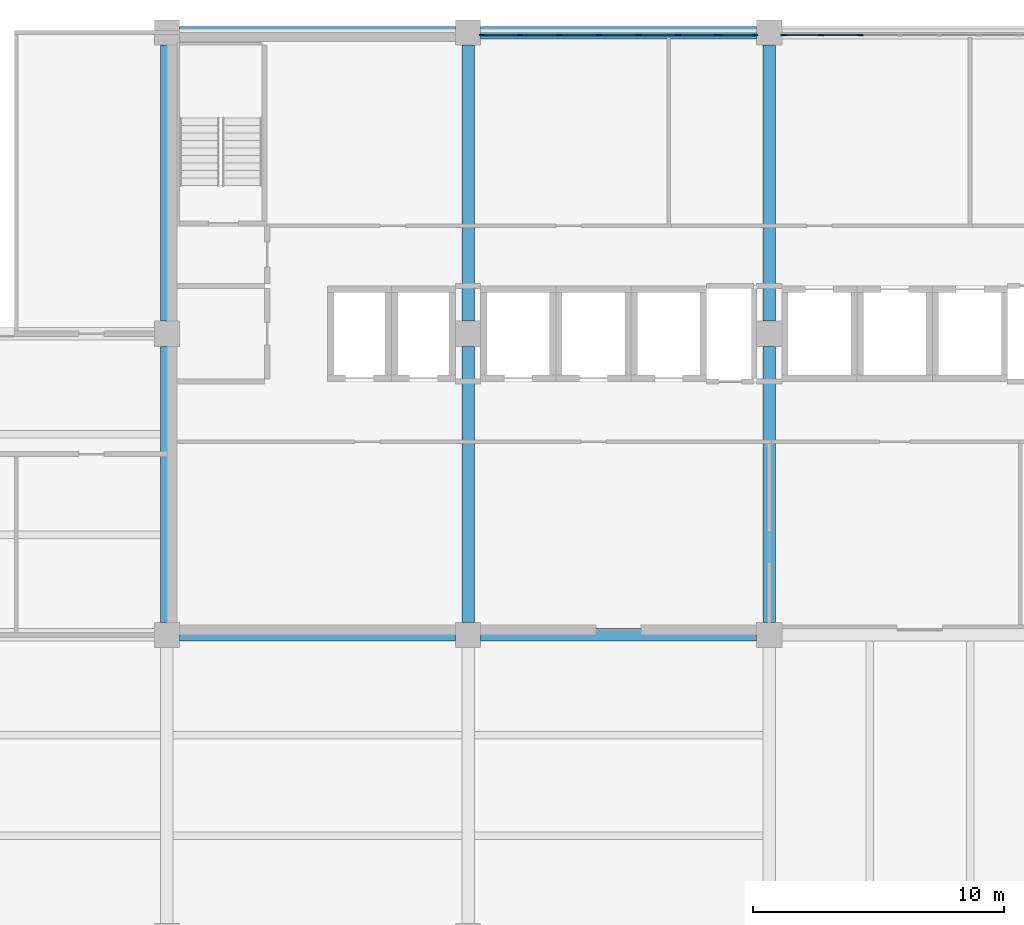
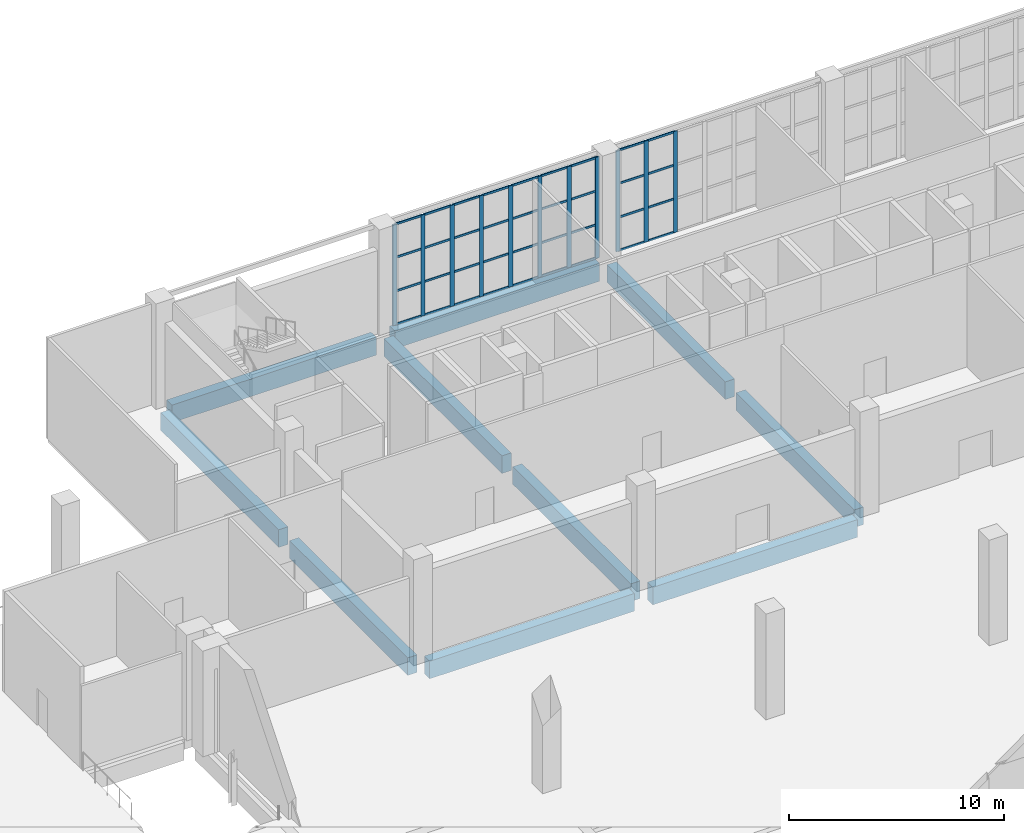
# One storey, part 37 of 72: 47 members, 10 beams, 2 elements without a shape of their own.
"""IFC4 building model written with IfcOpenShell, lengths in metres."""

from ifc_helpers import new_model, si_unit, direction, frame, origin, origin_2d, place, context, subcontext, project, spatial, rectangle, extrude, material, layer, layer_set, material_profile, profile_set, type_object, element, aggregate, save


model = new_model("IFC4")

# Units and contexts
model_context = context("Model", 3, precision=1e-05, world=origin(), true_north=direction((0.0, 1.0)))
body_context = subcontext(model_context, "Body", "Model", "MODEL_VIEW")
ifc_project = project(units=[si_unit("LENGTHUNIT", "METRE"), si_unit("AREAUNIT", "SQUARE_METRE"), si_unit("VOLUMEUNIT", "CUBIC_METRE"), si_unit("PLANEANGLEUNIT", "RADIAN"), si_unit("MASSUNIT", "GRAM", prefix="KILO")], contexts=[model_context])

# Site, building, storey
site_placement = place(None, origin())
site = spatial("IfcSite", under=ifc_project, at=site_placement, CompositionType="ELEMENT")
building_placement = place(site_placement, origin())
building = spatial("IfcBuilding", under=site, at=building_placement, Name="Lilac Gate Convention Centre", CompositionType="ELEMENT")
storey_placement = place(building_placement, frame((0.0, 0.0, 6.0)))
storey = spatial("IfcBuildingStorey", under=building, at=storey_placement, Name="L01", CompositionType="ELEMENT", Elevation=6.0)

# Curtain wall, members
ifc_material_1 = material(Name="Aluminium framed double glazing", Category="aluminium")
ifc_layer = layer(ifc_material_1, 0.199951171875)
ifc_layer_set = layer_set([ifc_layer], Name="Aluminium framed double glazing")
curtain_wall_type = type_object("IfcCurtainWallType", Name="Unitised curtain wall 1500", PredefinedType="NOTDEFINED", material=ifc_layer_set)
curtain_wall_1_placement = place(storey_placement, origin())
curtain_wall_1 = element("IfcCurtainWall", 1, at=curtain_wall_1_placement, inside=storey, type_object=curtain_wall_type, Name="Curtain wall N L01 2", PredefinedType="NOTDEFINED")
ifc_material_2 = material(Name="Aluminium alloy 6063", Category="aluminium")
ifc_material_profile_1 = material_profile(ifc_material_2, rectangle(XDim=0.06005859375, YDim=0.219970703125, at=origin_2d()), Name="Curtain wall mullion 60 x 220")
ifc_profile_set_1 = profile_set([ifc_material_profile_1], Name="Aluminium alloy 6063")
member_type_1 = type_object("IfcMemberType", Name="Curtain wall mullion 60 x 220", PredefinedType="MULLION", material=ifc_profile_set_1)
member_1_placement = place(storey_placement, frame((69.642822265625, 245.89990234375, 0.0), z_axis=(0.0, 0.0, 1.0), x_axis=(0.0, -1.0, 0.0)))
member_1 = element("IfcMember", 2, at=member_1_placement, type_object=member_type_1, Name="CW mullion 6", PredefinedType="MULLION", context=body_context, shape_type="SweptSolid", body=[
    extrude(rectangle(XDim=0.06005859375, YDim=0.219970703125, at=origin_2d()), origin(), (0.0, 0.0, 1.0), 5.75),
])
member_2_placement = place(storey_placement, frame((68.071533203125, 245.89990234375, 0.0), z_axis=(0.0, 0.0, 1.0), x_axis=(0.0, -1.0, 0.0)))
member_2 = element("IfcMember", 3, at=member_2_placement, type_object=member_type_1, Name="CW mullion 7", PredefinedType="MULLION", context=body_context, shape_type="SweptSolid", body=[
    extrude(rectangle(XDim=0.06005859375, YDim=0.219970703125, at=origin_2d()), origin(), (0.0, 0.0, 1.0), 5.75),
])
member_3_placement = place(storey_placement, frame((66.56005859375, 245.89990234375, 0.0), z_axis=(0.0, 0.0, 1.0), x_axis=(0.0, -1.0, 0.0)))
member_3 = element("IfcMember", 4, at=member_3_placement, type_object=member_type_1, Name="CW mullion 8", PredefinedType="MULLION", context=body_context, shape_type="SweptSolid", body=[
    extrude(rectangle(XDim=0.06005859375, YDim=0.219970703125, at=origin_2d()), origin(), (0.0, 0.0, 1.0), 5.75),
])

curtain_wall_2_placement = place(storey_placement, origin())
curtain_wall_2 = element("IfcCurtainWall", 5, at=curtain_wall_2_placement, inside=storey, type_object=curtain_wall_type, Name="Curtain wall N L01 3", PredefinedType="NOTDEFINED")
member_4_placement = place(storey_placement, frame((65.43994140625, 245.89990234375, 0.0), z_axis=(0.0, 0.0, 1.0), x_axis=(0.0, -1.0, 0.0)))
member_4 = element("IfcMember", 6, at=member_4_placement, type_object=member_type_1, Name="CW mullion 1", PredefinedType="MULLION", context=body_context, shape_type="SweptSolid", body=[
    extrude(rectangle(XDim=0.06005859375, YDim=0.219970703125, at=origin_2d()), origin(), (0.0, 0.0, 1.0), 5.75),
])
member_5_placement = place(storey_placement, frame((63.928466796875, 245.89990234375, 0.0), z_axis=(0.0, 0.0, 1.0), x_axis=(0.0, -1.0, 0.0)))
member_5 = element("IfcMember", 7, at=member_5_placement, type_object=member_type_1, Name="CW mullion 2", PredefinedType="MULLION", context=body_context, shape_type="SweptSolid", body=[
    extrude(rectangle(XDim=0.06005859375, YDim=0.219970703125, at=origin_2d()), origin(), (0.0, 0.0, 1.0), 5.75),
])
member_6_placement = place(storey_placement, frame((62.357177734375, 245.89990234375, 0.0), z_axis=(0.0, 0.0, 1.0), x_axis=(0.0, -1.0, 0.0)))
member_6 = element("IfcMember", 8, at=member_6_placement, type_object=member_type_1, Name="CW mullion 3", PredefinedType="MULLION", context=body_context, shape_type="SweptSolid", body=[
    extrude(rectangle(XDim=0.06005859375, YDim=0.219970703125, at=origin_2d()), origin(), (0.0, 0.0, 1.0), 5.75),
])
member_7_placement = place(storey_placement, frame((60.78564453125, 245.89990234375, 0.0), z_axis=(0.0, 0.0, 1.0), x_axis=(0.0, -1.0, 0.0)))
member_7 = element("IfcMember", 9, at=member_7_placement, type_object=member_type_1, Name="CW mullion 4", PredefinedType="MULLION", context=body_context, shape_type="SweptSolid", body=[
    extrude(rectangle(XDim=0.06005859375, YDim=0.219970703125, at=origin_2d()), origin(), (0.0, 0.0, 1.0), 5.75),
])
member_8_placement = place(storey_placement, frame((59.21435546875, 245.89990234375, 0.0), z_axis=(0.0, 0.0, 1.0), x_axis=(0.0, -1.0, 0.0)))
member_8 = element("IfcMember", 10, at=member_8_placement, type_object=member_type_1, Name="CW mullion 5", PredefinedType="MULLION", context=body_context, shape_type="SweptSolid", body=[
    extrude(rectangle(XDim=0.06005859375, YDim=0.219970703125, at=origin_2d()), origin(), (0.0, 0.0, 1.0), 5.75),
])
member_9_placement = place(storey_placement, frame((57.642822265625, 245.89990234375, 0.0), z_axis=(0.0, 0.0, 1.0), x_axis=(0.0, -1.0, 0.0)))
member_9 = element("IfcMember", 11, at=member_9_placement, type_object=member_type_1, Name="CW mullion 6", PredefinedType="MULLION", context=body_context, shape_type="SweptSolid", body=[
    extrude(rectangle(XDim=0.06005859375, YDim=0.219970703125, at=origin_2d()), origin(), (0.0, 0.0, 1.0), 5.75),
])
member_10_placement = place(storey_placement, frame((56.071533203125, 245.89990234375, 0.0), z_axis=(0.0, 0.0, 1.0), x_axis=(0.0, -1.0, 0.0)))
member_10 = element("IfcMember", 12, at=member_10_placement, type_object=member_type_1, Name="CW mullion 7", PredefinedType="MULLION", context=body_context, shape_type="SweptSolid", body=[
    extrude(rectangle(XDim=0.06005859375, YDim=0.219970703125, at=origin_2d()), origin(), (0.0, 0.0, 1.0), 5.75),
])
member_11_placement = place(storey_placement, frame((54.56005859375, 245.89990234375, 0.0), z_axis=(0.0, 0.0, 1.0), x_axis=(0.0, -1.0, 0.0)))
member_11 = element("IfcMember", 13, at=member_11_placement, type_object=member_type_1, Name="CW mullion 8", PredefinedType="MULLION", context=body_context, shape_type="SweptSolid", body=[
    extrude(rectangle(XDim=0.06005859375, YDim=0.219970703125, at=origin_2d()), origin(), (0.0, 0.0, 1.0), 5.75),
])

# Member
ifc_material_profile_2 = material_profile(ifc_material_2, rectangle(XDim=0.06005859375, YDim=0.1201171875, at=origin_2d()), Name="Curtain wall transom 60 x 120")
ifc_profile_set_2 = profile_set([ifc_material_profile_2], Name="Aluminium alloy 6063")
member_type_2 = type_object("IfcMemberType", Name="Curtain wall transom 60 x 120", PredefinedType="USERDEFINED", material=ifc_profile_set_2)
member_12_placement = place(storey_placement, frame((69.61279296875, 245.89990234375, 0.030029296875), z_axis=(-1.0, 0.0, 0.0), x_axis=(0.0, -1.0, 0.0)))
member_12 = element("IfcMember", 14, at=member_12_placement, type_object=member_type_2, Name="CW transom 6.1", ObjectType="TRANSOM", PredefinedType="USERDEFINED", context=body_context, shape_type="SweptSolid", body=[
    extrude(rectangle(XDim=0.06005859375, YDim=0.1201171875, at=origin_2d()), origin(), (0.0, 0.0, 1.0), 1.511474609375),
])

member_13_placement = place(storey_placement, frame((69.61279296875, 245.89990234375, 1.916748046875), z_axis=(-1.0, 0.0, 0.0), x_axis=(0.0, -1.0, 0.0)))
member_13 = element("IfcMember", 15, at=member_13_placement, type_object=member_type_2, Name="CW transom 6.2", ObjectType="TRANSOM", PredefinedType="USERDEFINED", context=body_context, shape_type="SweptSolid", body=[
    extrude(rectangle(XDim=0.06005859375, YDim=0.1201171875, at=origin_2d()), origin(), (0.0, 0.0, 1.0), 1.511474609375),
])

member_14_placement = place(storey_placement, frame((69.61279296875, 245.89990234375, 3.833251953125), z_axis=(-1.0, 0.0, 0.0), x_axis=(0.0, -1.0, 0.0)))
member_14 = element("IfcMember", 16, at=member_14_placement, type_object=member_type_2, Name="CW transom 6.3", ObjectType="TRANSOM", PredefinedType="USERDEFINED", context=body_context, shape_type="SweptSolid", body=[
    extrude(rectangle(XDim=0.06005859375, YDim=0.1201171875, at=origin_2d()), origin(), (0.0, 0.0, 1.0), 1.511474609375),
])

member_15_placement = place(storey_placement, frame((69.61279296875, 245.89990234375, 5.719970703125), z_axis=(-1.0, 0.0, 0.0), x_axis=(0.0, -1.0, 0.0)))
member_15 = element("IfcMember", 17, at=member_15_placement, type_object=member_type_2, Name="CW transom 6.4", ObjectType="TRANSOM", PredefinedType="USERDEFINED", context=body_context, shape_type="SweptSolid", body=[
    extrude(rectangle(XDim=0.06005859375, YDim=0.1201171875, at=origin_2d()), origin(), (0.0, 0.0, 1.0), 1.511474609375),
])

member_16_placement = place(storey_placement, frame((68.04150390625, 245.89990234375, 0.030029296875), z_axis=(-1.0, 0.0, 0.0), x_axis=(0.0, -1.0, 0.0)))
member_16 = element("IfcMember", 18, at=member_16_placement, type_object=member_type_2, Name="CW transom 7.1", ObjectType="TRANSOM", PredefinedType="USERDEFINED", context=body_context, shape_type="SweptSolid", body=[
    extrude(rectangle(XDim=0.06005859375, YDim=0.1201171875, at=origin_2d()), origin(), (0.0, 0.0, 1.0), 1.4814453125),
])

member_17_placement = place(storey_placement, frame((68.04150390625, 245.89990234375, 1.916748046875), z_axis=(-1.0, 0.0, 0.0), x_axis=(0.0, -1.0, 0.0)))
member_17 = element("IfcMember", 19, at=member_17_placement, type_object=member_type_2, Name="CW transom 7.2", ObjectType="TRANSOM", PredefinedType="USERDEFINED", context=body_context, shape_type="SweptSolid", body=[
    extrude(rectangle(XDim=0.06005859375, YDim=0.1201171875, at=origin_2d()), origin(), (0.0, 0.0, 1.0), 1.4814453125),
])

member_18_placement = place(storey_placement, frame((68.04150390625, 245.89990234375, 3.833251953125), z_axis=(-1.0, 0.0, 0.0), x_axis=(0.0, -1.0, 0.0)))
member_18 = element("IfcMember", 20, at=member_18_placement, type_object=member_type_2, Name="CW transom 7.3", ObjectType="TRANSOM", PredefinedType="USERDEFINED", context=body_context, shape_type="SweptSolid", body=[
    extrude(rectangle(XDim=0.06005859375, YDim=0.1201171875, at=origin_2d()), origin(), (0.0, 0.0, 1.0), 1.4814453125),
])

member_19_placement = place(storey_placement, frame((68.04150390625, 245.89990234375, 5.719970703125), z_axis=(-1.0, 0.0, 0.0), x_axis=(0.0, -1.0, 0.0)))
member_19 = element("IfcMember", 21, at=member_19_placement, type_object=member_type_2, Name="CW transom 7.4", ObjectType="TRANSOM", PredefinedType="USERDEFINED", context=body_context, shape_type="SweptSolid", body=[
    extrude(rectangle(XDim=0.06005859375, YDim=0.1201171875, at=origin_2d()), origin(), (0.0, 0.0, 1.0), 1.4814453125),
])

aggregate(curtain_wall_1, [member_1, member_2, member_3, member_12, member_13, member_14, member_15, member_16, member_17, member_18, member_19])

member_20_placement = place(storey_placement, frame((65.43994140625, 245.89990234375, 0.030029296875), z_axis=(-1.0, 0.0, 0.0), x_axis=(0.0, -1.0, 0.0)))
member_20 = element("IfcMember", 22, at=member_20_placement, type_object=member_type_2, Name="CW transom 1.1", ObjectType="TRANSOM", PredefinedType="USERDEFINED", context=body_context, shape_type="SweptSolid", body=[
    extrude(rectangle(XDim=0.06005859375, YDim=0.1201171875, at=origin_2d()), origin(), (0.0, 0.0, 1.0), 1.4814453125),
])

member_21_placement = place(storey_placement, frame((65.43994140625, 245.89990234375, 1.916748046875), z_axis=(-1.0, 0.0, 0.0), x_axis=(0.0, -1.0, 0.0)))
member_21 = element("IfcMember", 23, at=member_21_placement, type_object=member_type_2, Name="CW transom 1.2", ObjectType="TRANSOM", PredefinedType="USERDEFINED", context=body_context, shape_type="SweptSolid", body=[
    extrude(rectangle(XDim=0.06005859375, YDim=0.1201171875, at=origin_2d()), origin(), (0.0, 0.0, 1.0), 1.4814453125),
])

member_22_placement = place(storey_placement, frame((65.43994140625, 245.89990234375, 3.833251953125), z_axis=(-1.0, 0.0, 0.0), x_axis=(0.0, -1.0, 0.0)))
member_22 = element("IfcMember", 24, at=member_22_placement, type_object=member_type_2, Name="CW transom 1.3", ObjectType="TRANSOM", PredefinedType="USERDEFINED", context=body_context, shape_type="SweptSolid", body=[
    extrude(rectangle(XDim=0.06005859375, YDim=0.1201171875, at=origin_2d()), origin(), (0.0, 0.0, 1.0), 1.4814453125),
])

member_23_placement = place(storey_placement, frame((65.43994140625, 245.89990234375, 5.719970703125), z_axis=(-1.0, 0.0, 0.0), x_axis=(0.0, -1.0, 0.0)))
member_23 = element("IfcMember", 25, at=member_23_placement, type_object=member_type_2, Name="CW transom 1.4", ObjectType="TRANSOM", PredefinedType="USERDEFINED", context=body_context, shape_type="SweptSolid", body=[
    extrude(rectangle(XDim=0.06005859375, YDim=0.1201171875, at=origin_2d()), origin(), (0.0, 0.0, 1.0), 1.4814453125),
])

member_24_placement = place(storey_placement, frame((63.898681640625, 245.89990234375, 0.030029296875), z_axis=(-1.0, 0.0, 0.0), x_axis=(0.0, -1.0, 0.0)))
member_24 = element("IfcMember", 26, at=member_24_placement, type_object=member_type_2, Name="CW transom 2.1", ObjectType="TRANSOM", PredefinedType="USERDEFINED", context=body_context, shape_type="SweptSolid", body=[
    extrude(rectangle(XDim=0.06005859375, YDim=0.1201171875, at=origin_2d()), origin(), (0.0, 0.0, 1.0), 1.511474609375),
])

member_25_placement = place(storey_placement, frame((63.898681640625, 245.89990234375, 1.916748046875), z_axis=(-1.0, 0.0, 0.0), x_axis=(0.0, -1.0, 0.0)))
member_25 = element("IfcMember", 27, at=member_25_placement, type_object=member_type_2, Name="CW transom 2.2", ObjectType="TRANSOM", PredefinedType="USERDEFINED", context=body_context, shape_type="SweptSolid", body=[
    extrude(rectangle(XDim=0.06005859375, YDim=0.1201171875, at=origin_2d()), origin(), (0.0, 0.0, 1.0), 1.511474609375),
])

member_26_placement = place(storey_placement, frame((63.898681640625, 245.89990234375, 3.833251953125), z_axis=(-1.0, 0.0, 0.0), x_axis=(0.0, -1.0, 0.0)))
member_26 = element("IfcMember", 28, at=member_26_placement, type_object=member_type_2, Name="CW transom 2.3", ObjectType="TRANSOM", PredefinedType="USERDEFINED", context=body_context, shape_type="SweptSolid", body=[
    extrude(rectangle(XDim=0.06005859375, YDim=0.1201171875, at=origin_2d()), origin(), (0.0, 0.0, 1.0), 1.511474609375),
])

member_27_placement = place(storey_placement, frame((63.898681640625, 245.89990234375, 5.719970703125), z_axis=(-1.0, 0.0, 0.0), x_axis=(0.0, -1.0, 0.0)))
member_27 = element("IfcMember", 29, at=member_27_placement, type_object=member_type_2, Name="CW transom 2.4", ObjectType="TRANSOM", PredefinedType="USERDEFINED", context=body_context, shape_type="SweptSolid", body=[
    extrude(rectangle(XDim=0.06005859375, YDim=0.1201171875, at=origin_2d()), origin(), (0.0, 0.0, 1.0), 1.511474609375),
])

member_28_placement = place(storey_placement, frame((62.3271484375, 245.89990234375, 0.030029296875), z_axis=(-1.0, 0.0, 0.0), x_axis=(0.0, -1.0, 0.0)))
member_28 = element("IfcMember", 30, at=member_28_placement, type_object=member_type_2, Name="CW transom 3.1", ObjectType="TRANSOM", PredefinedType="USERDEFINED", context=body_context, shape_type="SweptSolid", body=[
    extrude(rectangle(XDim=0.06005859375, YDim=0.1201171875, at=origin_2d()), origin(), (0.0, 0.0, 1.0), 1.511474609375),
])

member_29_placement = place(storey_placement, frame((62.3271484375, 245.89990234375, 1.916748046875), z_axis=(-1.0, 0.0, 0.0), x_axis=(0.0, -1.0, 0.0)))
member_29 = element("IfcMember", 31, at=member_29_placement, type_object=member_type_2, Name="CW transom 3.2", ObjectType="TRANSOM", PredefinedType="USERDEFINED", context=body_context, shape_type="SweptSolid", body=[
    extrude(rectangle(XDim=0.06005859375, YDim=0.1201171875, at=origin_2d()), origin(), (0.0, 0.0, 1.0), 1.511474609375),
])

member_30_placement = place(storey_placement, frame((62.3271484375, 245.89990234375, 3.833251953125), z_axis=(-1.0, 0.0, 0.0), x_axis=(0.0, -1.0, 0.0)))
member_30 = element("IfcMember", 32, at=member_30_placement, type_object=member_type_2, Name="CW transom 3.3", ObjectType="TRANSOM", PredefinedType="USERDEFINED", context=body_context, shape_type="SweptSolid", body=[
    extrude(rectangle(XDim=0.06005859375, YDim=0.1201171875, at=origin_2d()), origin(), (0.0, 0.0, 1.0), 1.511474609375),
])

member_31_placement = place(storey_placement, frame((62.3271484375, 245.89990234375, 5.719970703125), z_axis=(-1.0, 0.0, 0.0), x_axis=(0.0, -1.0, 0.0)))
member_31 = element("IfcMember", 33, at=member_31_placement, type_object=member_type_2, Name="CW transom 3.4", ObjectType="TRANSOM", PredefinedType="USERDEFINED", context=body_context, shape_type="SweptSolid", body=[
    extrude(rectangle(XDim=0.06005859375, YDim=0.1201171875, at=origin_2d()), origin(), (0.0, 0.0, 1.0), 1.511474609375),
])

member_32_placement = place(storey_placement, frame((60.755615234375, 245.89990234375, 0.030029296875), z_axis=(-1.0, 0.0, 0.0), x_axis=(0.0, -1.0, 0.0)))
member_32 = element("IfcMember", 34, at=member_32_placement, type_object=member_type_2, Name="CW transom 4.1", ObjectType="TRANSOM", PredefinedType="USERDEFINED", context=body_context, shape_type="SweptSolid", body=[
    extrude(rectangle(XDim=0.06005859375, YDim=0.1201171875, at=origin_2d()), origin(), (0.0, 0.0, 1.0), 1.51123046875),
])

member_33_placement = place(storey_placement, frame((60.755615234375, 245.89990234375, 1.916748046875), z_axis=(-1.0, 0.0, 0.0), x_axis=(0.0, -1.0, 0.0)))
member_33 = element("IfcMember", 35, at=member_33_placement, type_object=member_type_2, Name="CW transom 4.2", ObjectType="TRANSOM", PredefinedType="USERDEFINED", context=body_context, shape_type="SweptSolid", body=[
    extrude(rectangle(XDim=0.06005859375, YDim=0.1201171875, at=origin_2d()), origin(), (0.0, 0.0, 1.0), 1.51123046875),
])

member_34_placement = place(storey_placement, frame((60.755615234375, 245.89990234375, 3.833251953125), z_axis=(-1.0, 0.0, 0.0), x_axis=(0.0, -1.0, 0.0)))
member_34 = element("IfcMember", 36, at=member_34_placement, type_object=member_type_2, Name="CW transom 4.3", ObjectType="TRANSOM", PredefinedType="USERDEFINED", context=body_context, shape_type="SweptSolid", body=[
    extrude(rectangle(XDim=0.06005859375, YDim=0.1201171875, at=origin_2d()), origin(), (0.0, 0.0, 1.0), 1.51123046875),
])

member_35_placement = place(storey_placement, frame((60.755615234375, 245.89990234375, 5.719970703125), z_axis=(-1.0, 0.0, 0.0), x_axis=(0.0, -1.0, 0.0)))
member_35 = element("IfcMember", 37, at=member_35_placement, type_object=member_type_2, Name="CW transom 4.4", ObjectType="TRANSOM", PredefinedType="USERDEFINED", context=body_context, shape_type="SweptSolid", body=[
    extrude(rectangle(XDim=0.06005859375, YDim=0.1201171875, at=origin_2d()), origin(), (0.0, 0.0, 1.0), 1.51123046875),
])

member_36_placement = place(storey_placement, frame((59.184326171875, 245.89990234375, 0.030029296875), z_axis=(-1.0, 0.0, 0.0), x_axis=(0.0, -1.0, 0.0)))
member_36 = element("IfcMember", 38, at=member_36_placement, type_object=member_type_2, Name="CW transom 5.1", ObjectType="TRANSOM", PredefinedType="USERDEFINED", context=body_context, shape_type="SweptSolid", body=[
    extrude(rectangle(XDim=0.06005859375, YDim=0.1201171875, at=origin_2d()), origin(), (0.0, 0.0, 1.0), 1.511474609375),
])

member_37_placement = place(storey_placement, frame((59.184326171875, 245.89990234375, 1.916748046875), z_axis=(-1.0, 0.0, 0.0), x_axis=(0.0, -1.0, 0.0)))
member_37 = element("IfcMember", 39, at=member_37_placement, type_object=member_type_2, Name="CW transom 5.2", ObjectType="TRANSOM", PredefinedType="USERDEFINED", context=body_context, shape_type="SweptSolid", body=[
    extrude(rectangle(XDim=0.06005859375, YDim=0.1201171875, at=origin_2d()), origin(), (0.0, 0.0, 1.0), 1.511474609375),
])

member_38_placement = place(storey_placement, frame((59.184326171875, 245.89990234375, 3.833251953125), z_axis=(-1.0, 0.0, 0.0), x_axis=(0.0, -1.0, 0.0)))
member_38 = element("IfcMember", 40, at=member_38_placement, type_object=member_type_2, Name="CW transom 5.3", ObjectType="TRANSOM", PredefinedType="USERDEFINED", context=body_context, shape_type="SweptSolid", body=[
    extrude(rectangle(XDim=0.06005859375, YDim=0.1201171875, at=origin_2d()), origin(), (0.0, 0.0, 1.0), 1.511474609375),
])

member_39_placement = place(storey_placement, frame((59.184326171875, 245.89990234375, 5.719970703125), z_axis=(-1.0, 0.0, 0.0), x_axis=(0.0, -1.0, 0.0)))
member_39 = element("IfcMember", 41, at=member_39_placement, type_object=member_type_2, Name="CW transom 5.4", ObjectType="TRANSOM", PredefinedType="USERDEFINED", context=body_context, shape_type="SweptSolid", body=[
    extrude(rectangle(XDim=0.06005859375, YDim=0.1201171875, at=origin_2d()), origin(), (0.0, 0.0, 1.0), 1.511474609375),
])

member_40_placement = place(storey_placement, frame((57.61279296875, 245.89990234375, 0.030029296875), z_axis=(-1.0, 0.0, 0.0), x_axis=(0.0, -1.0, 0.0)))
member_40 = element("IfcMember", 42, at=member_40_placement, type_object=member_type_2, Name="CW transom 6.1", ObjectType="TRANSOM", PredefinedType="USERDEFINED", context=body_context, shape_type="SweptSolid", body=[
    extrude(rectangle(XDim=0.06005859375, YDim=0.1201171875, at=origin_2d()), origin(), (0.0, 0.0, 1.0), 1.511474609375),
])

member_41_placement = place(storey_placement, frame((57.61279296875, 245.89990234375, 1.916748046875), z_axis=(-1.0, 0.0, 0.0), x_axis=(0.0, -1.0, 0.0)))
member_41 = element("IfcMember", 43, at=member_41_placement, type_object=member_type_2, Name="CW transom 6.2", ObjectType="TRANSOM", PredefinedType="USERDEFINED", context=body_context, shape_type="SweptSolid", body=[
    extrude(rectangle(XDim=0.06005859375, YDim=0.1201171875, at=origin_2d()), origin(), (0.0, 0.0, 1.0), 1.511474609375),
])

member_42_placement = place(storey_placement, frame((57.61279296875, 245.89990234375, 3.833251953125), z_axis=(-1.0, 0.0, 0.0), x_axis=(0.0, -1.0, 0.0)))
member_42 = element("IfcMember", 44, at=member_42_placement, type_object=member_type_2, Name="CW transom 6.3", ObjectType="TRANSOM", PredefinedType="USERDEFINED", context=body_context, shape_type="SweptSolid", body=[
    extrude(rectangle(XDim=0.06005859375, YDim=0.1201171875, at=origin_2d()), origin(), (0.0, 0.0, 1.0), 1.511474609375),
])

member_43_placement = place(storey_placement, frame((57.61279296875, 245.89990234375, 5.719970703125), z_axis=(-1.0, 0.0, 0.0), x_axis=(0.0, -1.0, 0.0)))
member_43 = element("IfcMember", 45, at=member_43_placement, type_object=member_type_2, Name="CW transom 6.4", ObjectType="TRANSOM", PredefinedType="USERDEFINED", context=body_context, shape_type="SweptSolid", body=[
    extrude(rectangle(XDim=0.06005859375, YDim=0.1201171875, at=origin_2d()), origin(), (0.0, 0.0, 1.0), 1.511474609375),
])

member_44_placement = place(storey_placement, frame((56.04150390625, 245.89990234375, 0.030029296875), z_axis=(-1.0, 0.0, 0.0), x_axis=(0.0, -1.0, 0.0)))
member_44 = element("IfcMember", 46, at=member_44_placement, type_object=member_type_2, Name="CW transom 7.1", ObjectType="TRANSOM", PredefinedType="USERDEFINED", context=body_context, shape_type="SweptSolid", body=[
    extrude(rectangle(XDim=0.06005859375, YDim=0.1201171875, at=origin_2d()), origin(), (0.0, 0.0, 1.0), 1.4814453125),
])

member_45_placement = place(storey_placement, frame((56.04150390625, 245.89990234375, 1.916748046875), z_axis=(-1.0, 0.0, 0.0), x_axis=(0.0, -1.0, 0.0)))
member_45 = element("IfcMember", 47, at=member_45_placement, type_object=member_type_2, Name="CW transom 7.2", ObjectType="TRANSOM", PredefinedType="USERDEFINED", context=body_context, shape_type="SweptSolid", body=[
    extrude(rectangle(XDim=0.06005859375, YDim=0.1201171875, at=origin_2d()), origin(), (0.0, 0.0, 1.0), 1.4814453125),
])

member_46_placement = place(storey_placement, frame((56.04150390625, 245.89990234375, 3.833251953125), z_axis=(-1.0, 0.0, 0.0), x_axis=(0.0, -1.0, 0.0)))
member_46 = element("IfcMember", 48, at=member_46_placement, type_object=member_type_2, Name="CW transom 7.3", ObjectType="TRANSOM", PredefinedType="USERDEFINED", context=body_context, shape_type="SweptSolid", body=[
    extrude(rectangle(XDim=0.06005859375, YDim=0.1201171875, at=origin_2d()), origin(), (0.0, 0.0, 1.0), 1.4814453125),
])

member_47_placement = place(storey_placement, frame((56.04150390625, 245.89990234375, 5.719970703125), z_axis=(-1.0, 0.0, 0.0), x_axis=(0.0, -1.0, 0.0)))
member_47 = element("IfcMember", 49, at=member_47_placement, type_object=member_type_2, Name="CW transom 7.4", ObjectType="TRANSOM", PredefinedType="USERDEFINED", context=body_context, shape_type="SweptSolid", body=[
    extrude(rectangle(XDim=0.06005859375, YDim=0.1201171875, at=origin_2d()), origin(), (0.0, 0.0, 1.0), 1.4814453125),
])

aggregate(curtain_wall_2, [member_4, member_5, member_6, member_7, member_8, member_9, member_10, member_11, member_20, member_21, member_22, member_23, member_24, member_25, member_26, member_27, member_28, member_29, member_30, member_31, member_32, member_33, member_34, member_35, member_36, member_37, member_38, member_39, member_40, member_41, member_42, member_43, member_44, member_45, member_46, member_47])

# Beams
ifc_material_3 = material(Name="Concrete C40", Category="concrete")
ifc_material_profile_3 = material_profile(ifc_material_3, rectangle(XDim=0.5, YDim=1.0, at=origin_2d()), Name="RC 500x1000")
ifc_profile_set_3 = profile_set([ifc_material_profile_3], Name="Concrete C40")
beam_type = type_object("IfcBeamType", Name="Primary beam 500x1000 C40", PredefinedType="BEAM", material=ifc_profile_set_3)
for number, where, z_axis, x_axis, name in (
    (50, (42.5, 222.0, -0.75), (1.0, 0.0, 0.0), (0.0, 1.0, 0.0), "RB1 L01 4/S-5/S"),
    (51, (54.5, 222.0, -0.75), (1.0, 0.0, 0.0), (0.0, 1.0, 0.0), "RB1 L01 5/S-6/S"),
    (52, (42.5, 246.0, -0.75), (1.0, 0.0, 0.0), (0.0, 1.0, 0.0), "RB1 L01 4/U-5/U"),
    (53, (54.5, 246.0, -0.75), (1.0, 0.0, 0.0), (0.0, 1.0, 0.0), "RB1 L01 5/U-6/U"),
    (54, (42.0, 222.5, -0.75), (0.0, 1.0, 0.0), (-1.0, 0.0, 0.0), "RB1 L01 4/S-4/T"),
    (55, (42.0, 234.5, -0.75), (0.0, 1.0, 0.0), (-1.0, 0.0, 0.0), "RB1 L01 4/T-4/U"),
    (56, (54.0, 222.5, -0.75), (0.0, 1.0, 0.0), (-1.0, 0.0, 0.0), "RB1 L01 5/S-5/T"),
    (57, (54.0, 234.5, -0.75), (0.0, 1.0, 0.0), (-1.0, 0.0, 0.0), "RB1 L01 5/T-5/U"),
    (58, (66.0, 222.5, -0.75), (0.0, 1.0, 0.0), (-1.0, 0.0, 0.0), "RB1 L01 6/S-6/T"),
    (59, (66.0, 234.5, -0.75), (0.0, 1.0, 0.0), (-1.0, 0.0, 0.0), "RB1 L01 6/T-6/U"),
):
    element("IfcBeam", number, at=place(storey_placement, frame(where, z_axis=z_axis, x_axis=x_axis)), inside=storey, type_object=beam_type, Name=name, PredefinedType="BEAM", context=body_context, shape_type="SweptSolid", body=[
        extrude(rectangle(XDim=0.5, YDim=1.0, at=origin_2d()), origin(), (0.0, 0.0, 1.0), 11.0),
    ])

save(model, "model.ifc")
